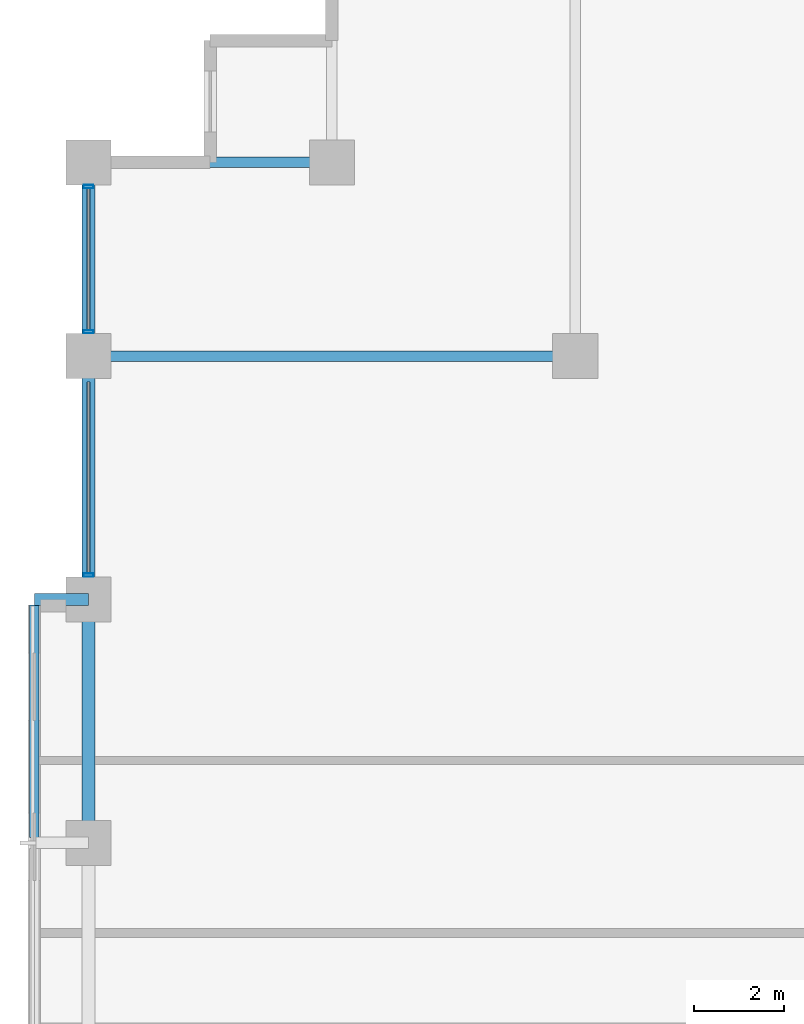
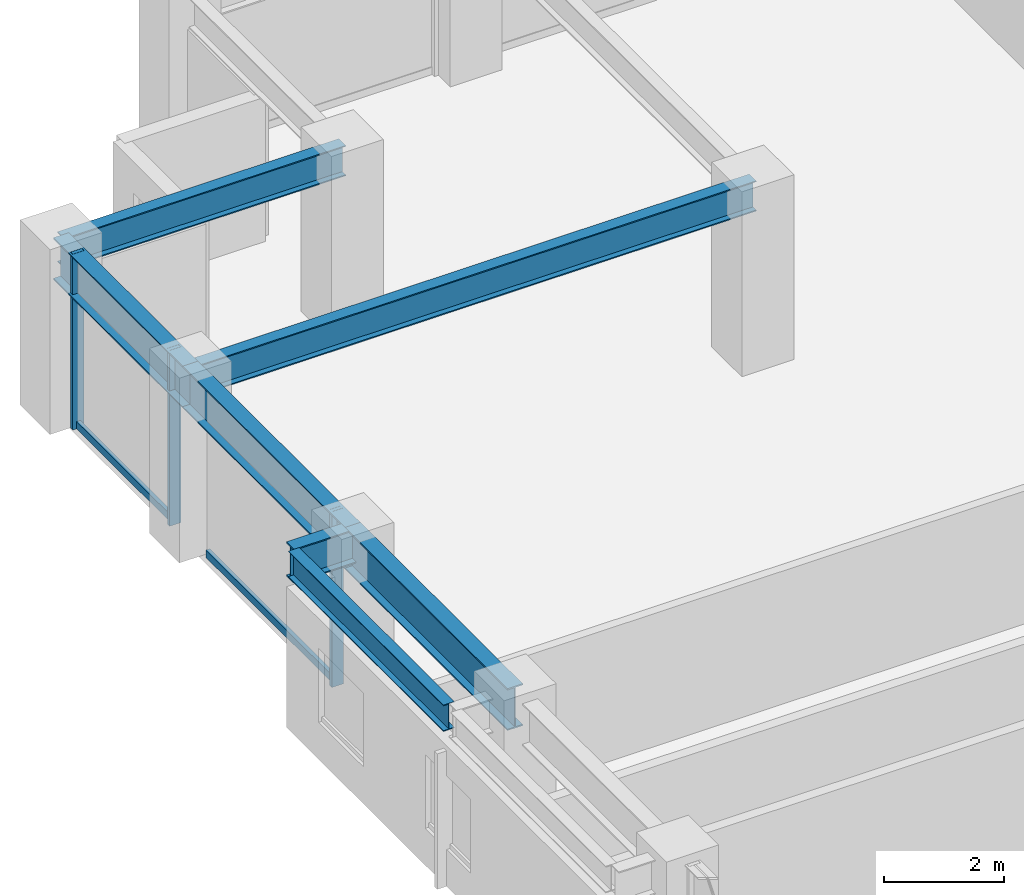
# One storey, part 11 of 26: 7 beams, 5 members, 1 element without a shape of its own.
"""IFC4 building model written with IfcOpenShell, lengths in metres."""

from ifc_helpers import new_model, si_unit, direction, frame, origin, origin_2d, place, context, subcontext, project, spatial, hollow_rectangle, i_section, extrude, material, layer, layer_set, material_profile, profile_set, type_object, element, aggregate, save


model = new_model("IFC4")

# Units and contexts
model_context = context("Model", 3, precision=1e-05, world=origin(), true_north=direction((0.0, 1.0)))
body_context = subcontext(model_context, "Body", "Model", "MODEL_VIEW")
ifc_project = project(units=[si_unit("LENGTHUNIT", "METRE"), si_unit("AREAUNIT", "SQUARE_METRE"), si_unit("VOLUMEUNIT", "CUBIC_METRE"), si_unit("PLANEANGLEUNIT", "RADIAN"), si_unit("MASSUNIT", "GRAM", prefix="KILO")], contexts=[model_context])

# Site, building, storey
site_placement = place(None, origin())
site = spatial("IfcSite", under=ifc_project, at=site_placement, CompositionType="ELEMENT")
building_placement = place(site_placement, origin())
building = spatial("IfcBuilding", under=site, at=building_placement, Name="Surkhivell Harbour Commons", CompositionType="ELEMENT")
storey_placement = place(building_placement, frame((0.0, 0.0, 147.0)))
storey = spatial("IfcBuildingStorey", under=building, at=storey_placement, Name="L38", CompositionType="ELEMENT", Elevation=147.0)

# Beams
ifc_material_1 = material(Name="Steel S460", Category="steel")
ifc_material_profile_1 = material_profile(ifc_material_1, i_section(OverallWidth=0.256103515625, OverallDepth=0.693115234375, WebThickness=0.014404296875, FlangeThickness=0.023681640625, at=origin_2d()), Name="UB686x254x170")
ifc_profile_set_1 = profile_set([ifc_material_profile_1], Name="Steel S460")
beam_type_1 = type_object("IfcBeamType", Name="BM-CNT-686", PredefinedType="BEAM", material=ifc_profile_set_1)
beam_1_placement = place(storey_placement, frame((-32.39990234375, 10.800048828125, 3.223388671875), z_axis=(-1.0, 0.0, 0.0), x_axis=(0.0, -1.0, 0.0)))
element("IfcBeam", 1, at=beam_1_placement, inside=storey, type_object=beam_type_1, Name="L38 Box Cantilever Outrigger (-32.4,10.8)", PredefinedType="BEAM", context=body_context, shape_type="SweptSolid", body=[
    extrude(i_section(OverallWidth=0.256103515625, OverallDepth=0.693115234375, WebThickness=0.014404296875, FlangeThickness=0.023681640625, at=origin_2d()), origin(), (0.0, 0.0, 1.0), 1.2001953125),
])
ifc_material_2 = material(Name="Steel S355", Category="steel")
ifc_material_profile_2 = material_profile(ifc_material_2, i_section(OverallWidth=0.2099609375, OverallDepth=0.537109375, WebThickness=0.0107421875, FlangeThickness=0.017333984375, at=origin_2d()), Name="UB533x210x101")
ifc_profile_set_2 = profile_set([ifc_material_profile_2], Name="Steel S355")
beam_type_2 = type_object("IfcBeamType", Name="BM-GRD-533B", PredefinedType="BEAM", material=ifc_profile_set_2)
beam_2_placement = place(storey_placement, frame((-33.60009765625, 5.52197265625, 3.301513671875), z_axis=(0.0, 1.0, 0.0), x_axis=(-1.0, 0.0, 0.0)))
element("IfcBeam", 2, at=beam_2_placement, inside=storey, type_object=beam_type_2, Name="L38 Box Rim Spandrel (-33.6,5.4)", PredefinedType="BEAM", context=body_context, shape_type="SweptSolid", body=[
    extrude(i_section(OverallWidth=0.2099609375, OverallDepth=0.537109375, WebThickness=0.0107421875, FlangeThickness=0.017333984375, at=origin_2d()), origin(), (0.0, 0.0, 1.0), 5.156005859375),
])
ifc_material_profile_3 = material_profile(ifc_material_2, i_section(OverallWidth=0.22998046875, OverallDepth=0.616943359375, WebThickness=0.01318359375, FlangeThickness=0.022216796875, at=origin_2d()), Name="UB610x229x140")
ifc_profile_set_3 = profile_set([ifc_material_profile_3], Name="Steel S355")
beam_type_3 = type_object("IfcBeamType", Name="BM-GRD-610B", PredefinedType="BEAM", material=ifc_profile_set_3)
beam_3_placement = place(storey_placement, frame((-32.39990234375, 16.199951171875, 3.261474609375), z_axis=(1.0, 0.0, 0.0), x_axis=(0.0, 1.0, 0.0)))
element("IfcBeam", 3, at=beam_3_placement, inside=storey, type_object=beam_type_3, Name="L38 Floor Girder (-32.4,16.2)", PredefinedType="BEAM", context=body_context, shape_type="SweptSolid", body=[
    extrude(i_section(OverallWidth=0.22998046875, OverallDepth=0.616943359375, WebThickness=0.01318359375, FlangeThickness=0.022216796875, at=origin_2d()), origin(), (0.0, 0.0, 1.0), 10.7998046875),
])
beam_4_placement = place(storey_placement, frame((-32.39990234375, 20.5, 3.261474609375), z_axis=(1.0, 0.0, 0.0), x_axis=(0.0, 1.0, 0.0)))
element("IfcBeam", 4, at=beam_4_placement, inside=storey, type_object=beam_type_3, Name="L38 Floor Girder (-32.4,20.5)", PredefinedType="BEAM", context=body_context, shape_type="SweptSolid", body=[
    extrude(i_section(OverallWidth=0.22998046875, OverallDepth=0.616943359375, WebThickness=0.01318359375, FlangeThickness=0.022216796875, at=origin_2d()), origin(), (0.0, 0.0, 1.0), 5.39990234375),
])
ifc_material_profile_4 = material_profile(ifc_material_1, i_section(OverallWidth=0.2939453125, OverallDepth=0.85107421875, WebThickness=0.01611328125, FlangeThickness=0.02685546875, at=origin_2d()), Name="UB838x292x226")
ifc_profile_set_4 = profile_set([ifc_material_profile_4], Name="Steel S460")
beam_type_4 = type_object("IfcBeamType", Name="BM-SPN-838", PredefinedType="SPANDREL", material=ifc_profile_set_4)
beam_5_placement = place(storey_placement, frame((-32.39990234375, 5.39990234375, 3.14453125), z_axis=(0.0, 1.0, 0.0), x_axis=(-1.0, 0.0, 0.0)))
element("IfcBeam", 5, at=beam_5_placement, inside=storey, type_object=beam_type_4, Name="L38 Tube Spandrel (-32.4,5.4)", PredefinedType="SPANDREL", context=body_context, shape_type="SweptSolid", body=[
    extrude(i_section(OverallWidth=0.2939453125, OverallDepth=0.85107421875, WebThickness=0.01611328125, FlangeThickness=0.02685546875, at=origin_2d()), origin(), (0.0, 0.0, 1.0), 5.400146484375),
])
beam_6_placement = place(storey_placement, frame((-32.39990234375, 10.800048828125, 3.14453125), z_axis=(0.0, 1.0, 0.0), x_axis=(-1.0, 0.0, 0.0)))
element("IfcBeam", 6, at=beam_6_placement, inside=storey, type_object=beam_type_4, Name="L38 Tube Spandrel (-32.4,10.8)", PredefinedType="SPANDREL", context=body_context, shape_type="SweptSolid", body=[
    extrude(i_section(OverallWidth=0.2939453125, OverallDepth=0.85107421875, WebThickness=0.01611328125, FlangeThickness=0.02685546875, at=origin_2d()), origin(), (0.0, 0.0, 1.0), 5.39990234375),
])
beam_7_placement = place(storey_placement, frame((-32.39990234375, 16.199951171875, 3.14453125), z_axis=(0.0, 1.0, 0.0), x_axis=(-1.0, 0.0, 0.0)))
element("IfcBeam", 7, at=beam_7_placement, inside=storey, type_object=beam_type_4, Name="L38 Tube Spandrel (-32.4,16.2)", PredefinedType="SPANDREL", context=body_context, shape_type="SweptSolid", body=[
    extrude(i_section(OverallWidth=0.2939453125, OverallDepth=0.85107421875, WebThickness=0.01611328125, FlangeThickness=0.02685546875, at=origin_2d()), origin(), (0.0, 0.0, 1.0), 4.300048828125),
])

# Curtain wall, members
ifc_material_3 = material(Name="Anodised pale-metal aluminium and insulated glazing", Category="aluminium")
ifc_layer = layer(ifc_material_3, 0.205078125)
ifc_layer_set = layer_set([ifc_layer], Name="Anodised pale-metal aluminium and insulated glazing")
curtain_wall_type = type_object("IfcCurtainWallType", Name="CW-SYS-Z2", PredefinedType="NOTDEFINED", material=ifc_layer_set)
curtain_wall_placement = place(storey_placement, origin())
curtain_wall = element("IfcCurtainWall", 8, at=curtain_wall_placement, inside=storey, type_object=curtain_wall_type, Name="L38 Curtain Wall CW-L38-E12R2", PredefinedType="NOTDEFINED")
ifc_material_4 = material(Name="Anodised pale-metal aluminium alloy 6063-T6", Category="aluminium")
ifc_material_profile_5 = material_profile(ifc_material_4, hollow_rectangle(XDim=0.074951171875, YDim=0.219970703125, WallThickness=0.00390625, at=origin_2d()), Name="ALU-MULL-75x220")
ifc_profile_set_5 = profile_set([ifc_material_profile_5], Name="Anodised pale-metal aluminium alloy 6063-T6")
member_type_1 = type_object("IfcMemberType", Name="CWM-220", PredefinedType="MULLION", material=ifc_profile_set_5)
member_1_placement = place(storey_placement, frame((-32.39990234375, 11.339599609375, 0.0), z_axis=(0.0, 0.0, 1.0), x_axis=(0.0, 1.0, 0.0)))
member_1 = element("IfcMember", 9, at=member_1_placement, type_object=member_type_1, Name="CW-Z2 mullion 1", PredefinedType="MULLION", context=body_context, shape_type="SweptSolid", body=[
    extrude(hollow_rectangle(XDim=0.074951171875, YDim=0.219970703125, WallThickness=0.00390625, at=origin_2d()), origin(), (0.0, 0.0, 1.0), 3.570068359375),
])
member_2_placement = place(storey_placement, frame((-32.39990234375, 16.739501953125, 0.0), z_axis=(0.0, 0.0, 1.0), x_axis=(0.0, 1.0, 0.0)))
member_2 = element("IfcMember", 10, at=member_2_placement, type_object=member_type_1, Name="CW-Z2 mullion 2", PredefinedType="MULLION", context=body_context, shape_type="SweptSolid", body=[
    extrude(hollow_rectangle(XDim=0.074951171875, YDim=0.219970703125, WallThickness=0.00390625, at=origin_2d()), origin(), (0.0, 0.0, 1.0), 3.570068359375),
])
member_3_placement = place(storey_placement, frame((-32.39990234375, 19.96044921875, 0.0), z_axis=(0.0, 0.0, 1.0), x_axis=(0.0, 1.0, 0.0)))
member_3 = element("IfcMember", 11, at=member_3_placement, type_object=member_type_1, Name="CW-Z2 mullion 3", PredefinedType="MULLION", context=body_context, shape_type="SweptSolid", body=[
    extrude(hollow_rectangle(XDim=0.074951171875, YDim=0.219970703125, WallThickness=0.00390625, at=origin_2d()), origin(), (0.0, 0.0, 1.0), 3.570068359375),
])
ifc_material_profile_6 = material_profile(ifc_material_4, hollow_rectangle(XDim=0.074951171875, YDim=0.14990234375, WallThickness=0.00341796875, at=origin_2d()), Name="ALU-TRAN-75x150")
ifc_profile_set_6 = profile_set([ifc_material_profile_6], Name="Anodised pale-metal aluminium alloy 6063-T6")
member_type_2 = type_object("IfcMemberType", Name="CWT-150", PredefinedType="USERDEFINED", material=ifc_profile_set_6)
member_4_placement = place(storey_placement, frame((-32.39990234375, 11.376953125, 0.074951171875), z_axis=(0.0, 1.0, 0.0), x_axis=(-1.0, 0.0, 0.0)))
member_4 = element("IfcMember", 12, at=member_4_placement, type_object=member_type_2, Name="CW-Z2 transom 1.1", ObjectType="TRANSOM", PredefinedType="USERDEFINED", context=body_context, shape_type="SweptSolid", body=[
    extrude(hollow_rectangle(XDim=0.074951171875, YDim=0.14990234375, WallThickness=0.00341796875, at=origin_2d()), origin(), (0.0, 0.0, 1.0), 4.24609375),
])
member_5_placement = place(storey_placement, frame((-32.39990234375, 16.777099609375, 0.074951171875), z_axis=(0.0, 1.0, 0.0), x_axis=(-1.0, 0.0, 0.0)))
member_5 = element("IfcMember", 13, at=member_5_placement, type_object=member_type_2, Name="CW-Z2 transom 2.1", ObjectType="TRANSOM", PredefinedType="USERDEFINED", context=body_context, shape_type="SweptSolid", body=[
    extrude(hollow_rectangle(XDim=0.074951171875, YDim=0.14990234375, WallThickness=0.00341796875, at=origin_2d()), origin(), (0.0, 0.0, 1.0), 3.14599609375),
])
aggregate(curtain_wall, [member_1, member_4, member_2, member_3, member_5])

save(model, "model.ifc")
